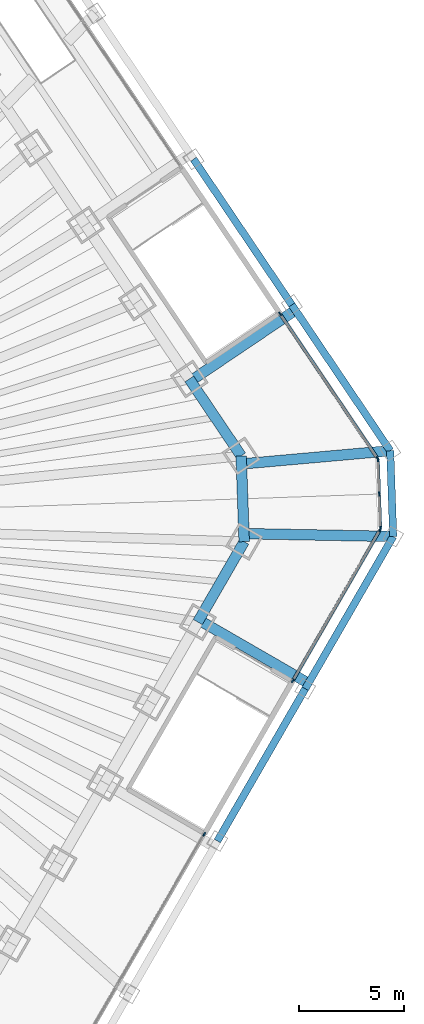
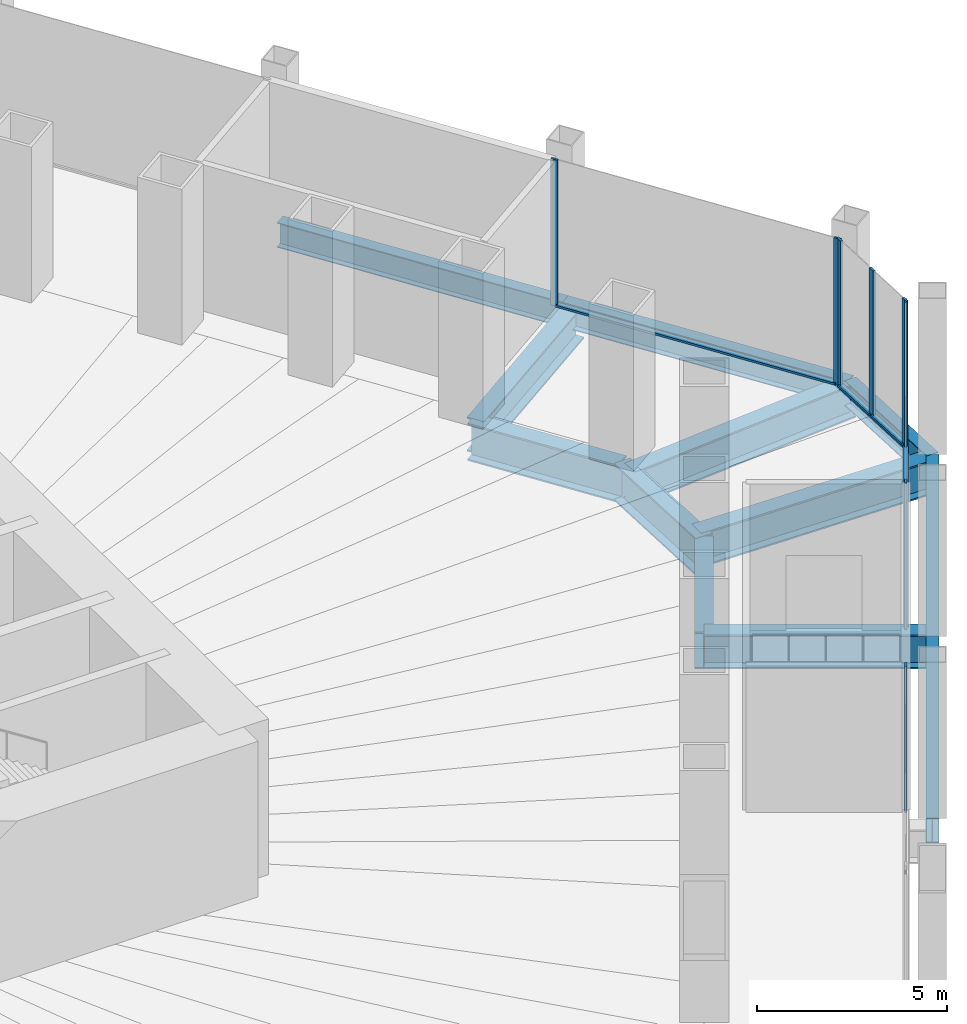
# One storey, part 9 of 18: 12 beams, 12 members, 4 elements without a shape of their own.
"""IFC4 building model written with IfcOpenShell, lengths in metres."""

from ifc_helpers import new_model, si_unit, direction, frame, origin, origin_2d, place, context, subcontext, project, spatial, rectangle, i_section, extrude, material, material_profile, profile_set, type_object, element, aggregate, save


model = new_model("IFC4")

# Units and contexts
model_context = context("Model", 3, precision=1e-05, world=origin(), true_north=direction((0.0, 1.0)))
body_context = subcontext(model_context, "Body", "Model", "MODEL_VIEW")
ifc_project = project(units=[si_unit("LENGTHUNIT", "METRE"), si_unit("AREAUNIT", "SQUARE_METRE"), si_unit("VOLUMEUNIT", "CUBIC_METRE"), si_unit("PLANEANGLEUNIT", "RADIAN"), si_unit("MASSUNIT", "GRAM", prefix="KILO")], contexts=[model_context])

# Site, building, storey
site_placement = place(None, origin())
site = spatial("IfcSite", under=ifc_project, at=site_placement, CompositionType="ELEMENT")
building_placement = place(site_placement, origin())
building = spatial("IfcBuilding", under=site, at=building_placement, Name="Qingtian Harvest Tower", CompositionType="ELEMENT")
storey_placement = place(building_placement, frame((0.0, 0.0, 12.0)))
storey = spatial("IfcBuildingStorey", under=building, at=storey_placement, Name="L02", CompositionType="ELEMENT", Elevation=12.0)

# Beams
ifc_material_1 = material(Name="Steel SM570MC", Category="steel")
ifc_material_profile_1 = material_profile(ifc_material_1, i_section(OverallWidth=0.5, OverallDepth=1.10009765625, WebThickness=0.02490234375, FlangeThickness=0.050048828125, at=origin_2d()), Name="H1100x500x25x50")
ifc_profile_set_1 = profile_set([ifc_material_profile_1], Name="Steel SM570MC")
beam_type_1 = type_object("IfcBeamType", Name="Floor beam FB6 H1100x500x25x50", PredefinedType="BEAM", material=ifc_profile_set_1)
beam_1_placement = place(storey_placement, frame((33.05029296875, 10.0146484375, -0.800048828125), z_axis=(-0.829039666934, -0.559189798414, 0.0), x_axis=(0.559189798414, -0.829039666934, 0.0)))
element("IfcBeam", 1, at=beam_1_placement, inside=storey, type_object=beam_type_1, Name="Podium floor beam FB6 NE3", PredefinedType="BEAM", context=body_context, shape_type="SweptSolid", body=[
    extrude(i_section(OverallWidth=0.5, OverallDepth=1.10009765625, WebThickness=0.02490234375, FlangeThickness=0.050048828125, at=origin_2d()), origin(), (0.0, 0.0, 1.0), 6.000244140625),
])
for number, where, z_axis, x_axis, name in (
    (2, (37.547119140625, 3.34765625, -0.800048828125), (-0.996049850269, -0.088795809463, 0.0), (0.088795809463, -0.996049850269, 0.0), "Podium floor beam FB6 NE4"),
    (3, (37.689208984375, -0.720458984375, -0.800048828125), (-0.999817134486, 0.019123221203, 0.0), (-0.019123221203, -0.999817134486, 0.0), "Podium floor beam FB6 SE0"),
):
    element("IfcBeam", number, at=place(storey_placement, frame(where, z_axis=z_axis, x_axis=x_axis)), inside=storey, type_object=beam_type_1, Name=name, PredefinedType="BEAM", context=body_context, shape_type="SweptSolid", body=[
        extrude(i_section(OverallWidth=0.5, OverallDepth=1.10009765625, WebThickness=0.02490234375, FlangeThickness=0.050048828125, at=origin_2d()), origin(), (0.0, 0.0, 1.0), 7.08544921875),
    ])
beam_2_placement = place(storey_placement, frame((33.668212890625, -7.684814453125, -0.800048828125), z_axis=(-0.866020924479, 0.500007758305, 0.0), x_axis=(-0.500007758305, -0.866020924479, 0.0)))
element("IfcBeam", 4, at=beam_2_placement, inside=storey, type_object=beam_type_1, Name="Podium floor beam FB6 SE1", PredefinedType="BEAM", context=body_context, shape_type="SweptSolid", body=[
    extrude(i_section(OverallWidth=0.5, OverallDepth=1.10009765625, WebThickness=0.02490234375, FlangeThickness=0.050048828125, at=origin_2d()), origin(), (0.0, 0.0, 1.0), 6.0),
])

# Curtain wall, members
ifc_material_2 = material(Name="Bronze-anodised aluminium curtain wall", Category="aluminium")
curtain_wall_type = type_object("IfcCurtainWallType", Name="Curtain wall CW1 podium shopfront", PredefinedType="USERDEFINED", material=ifc_material_2)
curtain_wall_1_placement = place(storey_placement, origin())
curtain_wall_1 = element("IfcCurtainWall", 5, at=curtain_wall_1_placement, inside=storey, type_object=curtain_wall_type, Name="Curtain wall CW1 L02 NE3", ObjectType="RECESSED CURTAIN WALL", PredefinedType="USERDEFINED")
ifc_material_3 = material(Name="Bronze-anodised aluminium mullion", Category="aluminium")
ifc_material_profile_2 = material_profile(ifc_material_3, rectangle(XDim=0.06494140625, YDim=0.199951171875, at=origin_2d()), Name="AL 65x200")
ifc_profile_set_2 = profile_set([ifc_material_profile_2], Name="Bronze-anodised aluminium mullion")
member_type_1 = type_object("IfcMemberType", Name="Mullion CWM 65x200", PredefinedType="MULLION", material=ifc_profile_set_2)
member_1_placement = place(storey_placement, frame((32.3203125, 9.844970703125, 0.0), z_axis=(0.0, 0.0, 1.0), x_axis=(0.829037572555, 0.559192903471, 0.0)))
member_1 = element("IfcMember", 6, at=member_1_placement, type_object=member_type_1, Name="CW1 mullion 1", PredefinedType="MULLION", context=body_context, shape_type="SweptSolid", body=[
    extrude(rectangle(XDim=0.06494140625, YDim=0.199951171875, at=origin_2d()), origin(), (0.0, 0.0, 1.0), 4.699951171875),
])
member_2_placement = place(storey_placement, frame((36.94873046875, 2.983154296875, 0.0), z_axis=(0.0, 0.0, 1.0), x_axis=(0.829037572555, 0.559192903471, 0.0)))
member_2 = element("IfcMember", 7, at=member_2_placement, type_object=member_type_1, Name="CW1 mullion 2", PredefinedType="MULLION", context=body_context, shape_type="SweptSolid", body=[
    extrude(rectangle(XDim=0.06494140625, YDim=0.199951171875, at=origin_2d()), origin(), (0.0, 0.0, 1.0), 4.699951171875),
])

curtain_wall_2_placement = place(storey_placement, origin())
curtain_wall_2 = element("IfcCurtainWall", 8, at=curtain_wall_2_placement, inside=storey, type_object=curtain_wall_type, Name="Curtain wall CW1 L02 NEC", ObjectType="RECESSED CURTAIN WALL", PredefinedType="USERDEFINED")
member_3_placement = place(storey_placement, frame((36.968017578125, 2.923828125, 0.0), z_axis=(0.0, 0.0, 1.0), x_axis=(0.999390827019, 0.034899496703, 0.0)))
member_3 = element("IfcMember", 9, at=member_3_placement, type_object=member_type_1, Name="CW1 mullion 1", PredefinedType="MULLION", context=body_context, shape_type="SweptSolid", body=[
    extrude(rectangle(XDim=0.06494140625, YDim=0.199951171875, at=origin_2d()), origin(), (0.0, 0.0, 1.0), 4.699951171875),
])
member_4_placement = place(storey_placement, frame((37.02490234375, 1.29296875, 0.0), z_axis=(0.0, 0.0, 1.0), x_axis=(0.999390827019, 0.034899496703, 0.0)))
member_4 = element("IfcMember", 10, at=member_4_placement, type_object=member_type_1, Name="CW1 mullion 2", PredefinedType="MULLION", context=body_context, shape_type="SweptSolid", body=[
    extrude(rectangle(XDim=0.06494140625, YDim=0.199951171875, at=origin_2d()), origin(), (0.0, 0.0, 1.0), 4.699951171875),
])
member_5_placement = place(storey_placement, frame((37.081787109375, -0.337890625, 0.0), z_axis=(0.0, 0.0, 1.0), x_axis=(0.999390827019, 0.034899496703, 0.0)))
member_5 = element("IfcMember", 11, at=member_5_placement, type_object=member_type_1, Name="CW1 mullion 3", PredefinedType="MULLION", context=body_context, shape_type="SweptSolid", body=[
    extrude(rectangle(XDim=0.06494140625, YDim=0.199951171875, at=origin_2d()), origin(), (0.0, 0.0, 1.0), 4.699951171875),
])

curtain_wall_3_placement = place(storey_placement, origin())
curtain_wall_3 = element("IfcCurtainWall", 12, at=curtain_wall_3_placement, inside=storey, type_object=curtain_wall_type, Name="Curtain wall CW1 L02 SE0", ObjectType="RECESSED CURTAIN WALL", PredefinedType="USERDEFINED")
member_6_placement = place(storey_placement, frame((37.066650390625, -0.398681640625, 0.0), z_axis=(0.0, 0.0, 1.0), x_axis=(0.866025403784, -0.5, 0.0)))
member_6 = element("IfcMember", 13, at=member_6_placement, type_object=member_type_1, Name="CW1 mullion 1", PredefinedType="MULLION", context=body_context, shape_type="SweptSolid", body=[
    extrude(rectangle(XDim=0.06494140625, YDim=0.199951171875, at=origin_2d()), origin(), (0.0, 0.0, 1.0), 4.699951171875),
])
member_7_placement = place(storey_placement, frame((32.92822265625, -7.56640625, 0.0), z_axis=(0.0, 0.0, 1.0), x_axis=(0.866025403784, -0.5, 0.0)))
member_7 = element("IfcMember", 14, at=member_7_placement, type_object=member_type_1, Name="CW1 mullion 2", PredefinedType="MULLION", context=body_context, shape_type="SweptSolid", body=[
    extrude(rectangle(XDim=0.06494140625, YDim=0.199951171875, at=origin_2d()), origin(), (0.0, 0.0, 1.0), 4.699951171875),
])

# Curtain wall, member
curtain_wall_4_placement = place(storey_placement, origin())
curtain_wall_4 = element("IfcCurtainWall", 15, at=curtain_wall_4_placement, inside=storey, type_object=curtain_wall_type, Name="Curtain wall CW1 L02 SE2-3", ObjectType="RECESSED CURTAIN WALL", PredefinedType="USERDEFINED")
member_8_placement = place(storey_placement, frame((28.724853515625, -14.846923828125, 0.0), z_axis=(0.0, 0.0, 1.0), x_axis=(0.866025403784, -0.5, 0.0)))
member_8 = element("IfcMember", 16, at=member_8_placement, type_object=member_type_1, Name="CW1 mullion 1", PredefinedType="MULLION", context=body_context, shape_type="SweptSolid", body=[
    extrude(rectangle(XDim=0.06494140625, YDim=0.199951171875, at=origin_2d()), origin(), (0.0, 0.0, 1.0), 4.699951171875),
])
aggregate(curtain_wall_4, [member_8])

# Beams
ifc_material_4 = material(Name="Steel SN490B", Category="steel")
ifc_material_profile_3 = material_profile(ifc_material_4, i_section(OverallWidth=0.35009765625, OverallDepth=0.800048828125, WebThickness=0.01611328125, FlangeThickness=0.028076171875, at=origin_2d()), Name="H800x350x16x28")
ifc_profile_set_3 = profile_set([ifc_material_profile_3], Name="Steel SN490B")
beam_type_2 = type_object("IfcBeamType", Name="Podium beam PB1 H800x350x16x28", PredefinedType="BEAM", material=ifc_profile_set_3)
for number, where, z_axis, x_axis, name in (
    (17, (28.2177734375, 17.178955078125, -0.64990234375), (0.559210439086, -0.829025744363, 0.0), (0.829025744363, 0.559210439086, 0.0), "Podium edge beam PB1 NE2"),
    (18, (32.882568359375, 10.263427734375, -0.64990234375), (0.559176755628, -0.829048464183, 0.0), (0.829048464183, 0.559176755628, 0.0), "Podium edge beam PB1 NE3"),
):
    element("IfcBeam", number, at=place(storey_placement, frame(where, z_axis=z_axis, x_axis=x_axis)), inside=storey, type_object=beam_type_2, Name=name, PredefinedType="BEAM", context=body_context, shape_type="SweptSolid", body=[
        extrude(i_section(OverallWidth=0.35009765625, OverallDepth=0.800048828125, WebThickness=0.01611328125, FlangeThickness=0.028076171875, at=origin_2d()), origin(), (0.0, 0.0, 1.0), 8.341796875),
    ])
beam_3_placement = place(storey_placement, frame((37.547119140625, 3.34765625, -0.64990234375), z_axis=(0.03490639867, -0.999390585973, 0.0), x_axis=(0.999390585973, 0.03490639867, 0.0)))
element("IfcBeam", 19, at=beam_3_placement, inside=storey, type_object=beam_type_2, Name="Podium edge beam PB1 NE4", PredefinedType="BEAM", context=body_context, shape_type="SweptSolid", body=[
    extrude(i_section(OverallWidth=0.35009765625, OverallDepth=0.800048828125, WebThickness=0.01611328125, FlangeThickness=0.028076171875, at=origin_2d()), origin(), (0.0, 0.0, 1.0), 4.070556640625),
])
for number, where, z_axis, x_axis, name in (
    (20, (37.689208984375, -0.720458984375, -0.64990234375), (-0.500004511595, -0.866022798998, 0.0), (0.866022798998, -0.500004511595, 0.0), "Podium edge beam PB1 SE0"),
    (21, (33.518310546875, -7.944580078125, -0.64990234375), (-0.500004511595, -0.866022798998, 0.0), (0.866022798998, -0.500004511595, 0.0), "Podium edge beam PB1 SE1"),
):
    element("IfcBeam", number, at=place(storey_placement, frame(where, z_axis=z_axis, x_axis=x_axis)), inside=storey, type_object=beam_type_2, Name=name, PredefinedType="BEAM", context=body_context, shape_type="SweptSolid", body=[
        extrude(i_section(OverallWidth=0.35009765625, OverallDepth=0.800048828125, WebThickness=0.01611328125, FlangeThickness=0.028076171875, at=origin_2d()), origin(), (0.0, 0.0, 1.0), 8.341796875),
    ])
ifc_material_5 = material(Name="Steel SM570MC", Category="steel")
ifc_material_profile_4 = material_profile(ifc_material_5, i_section(OverallWidth=0.5, OverallDepth=1.199951171875, WebThickness=0.02490234375, FlangeThickness=0.050048828125, at=origin_2d()), Name="H1200x500x25x50")
ifc_profile_set_4 = profile_set([ifc_material_profile_4], Name="Steel SM570MC")
beam_type_3 = type_object("IfcBeamType", Name="Spandrel beam SB1 H1200x500x25x50", PredefinedType="SPANDREL", material=ifc_profile_set_4)
beam_4_placement = place(storey_placement, frame((28.013427734375, 6.75244140625, -0.85009765625), z_axis=(0.559169135272, -0.829053603912, 0.0), x_axis=(0.829053603912, 0.559169135272, 0.0)))
element("IfcBeam", 22, at=beam_4_placement, inside=storey, type_object=beam_type_3, Name="Spandrel SB1 NE5", PredefinedType="SPANDREL", context=body_context, shape_type="SweptSolid", body=[
    extrude(i_section(OverallWidth=0.5, OverallDepth=1.199951171875, WebThickness=0.02490234375, FlangeThickness=0.050048828125, at=origin_2d()), origin(), (0.0, 0.0, 1.0), 4.404541015625),
])
beam_5_placement = place(storey_placement, frame((30.476318359375, 3.100830078125, -0.85009765625), z_axis=(0.03490639867, -0.999390585973, 0.0), x_axis=(0.999390585973, 0.03490639867, 0.0)))
element("IfcBeam", 23, at=beam_5_placement, inside=storey, type_object=beam_type_3, Name="Spandrel SB1 NEC", PredefinedType="SPANDREL", context=body_context, shape_type="SweptSolid", body=[
    extrude(i_section(OverallWidth=0.5, OverallDepth=1.199951171875, WebThickness=0.02490234375, FlangeThickness=0.050048828125, at=origin_2d()), origin(), (0.0, 0.0, 1.0), 4.070556640625),
])
beam_6_placement = place(storey_placement, frame((30.618408203125, -0.96728515625, -0.85009765625), z_axis=(-0.50001992892, -0.866013897511, 0.0), x_axis=(0.866013897511, -0.50001992892, 0.0)))
element("IfcBeam", 24, at=beam_6_placement, inside=storey, type_object=beam_type_3, Name="Spandrel SB1 SE0", PredefinedType="SPANDREL", context=body_context, shape_type="SweptSolid", body=[
    extrude(i_section(OverallWidth=0.5, OverallDepth=1.199951171875, WebThickness=0.02490234375, FlangeThickness=0.050048828125, at=origin_2d()), origin(), (0.0, 0.0, 1.0), 4.404541015625),
])

# Member
ifc_material_6 = material(Name="Bronze-anodised aluminium transom", Category="aluminium")
ifc_material_profile_5 = material_profile(ifc_material_6, rectangle(XDim=0.14990234375, YDim=0.06494140625, at=origin_2d()), Name="AL 65x150")
ifc_profile_set_5 = profile_set([ifc_material_profile_5], Name="Bronze-anodised aluminium transom")
member_type_2 = type_object("IfcMemberType", Name="Transom CWT 65x150", PredefinedType="USERDEFINED", material=ifc_profile_set_5)
member_9_placement = place(storey_placement, frame((32.33837890625, 9.818115234375, 0.032470703125), z_axis=(0.559199646774, -0.8290330241, 0.0), x_axis=(0.8290330241, 0.559199646774, 0.0)))
member_9 = element("IfcMember", 25, at=member_9_placement, type_object=member_type_2, Name="CW1 transom 1.1", ObjectType="TRANSOM", PredefinedType="USERDEFINED", context=body_context, shape_type="SweptSolid", body=[
    extrude(rectangle(XDim=0.14990234375, YDim=0.06494140625, at=origin_2d()), origin(), (0.0, 0.0, 1.0), 8.2119140625),
])

aggregate(curtain_wall_1, [member_1, member_2, member_9])

member_10_placement = place(storey_placement, frame((36.968994140625, 2.891357421875, 0.032470703125), z_axis=(0.034902326647, -0.999390728191, 0.0), x_axis=(0.999390728191, 0.034902326647, 0.0)))
member_10 = element("IfcMember", 26, at=member_10_placement, type_object=member_type_2, Name="CW1 transom 1.1", ObjectType="TRANSOM", PredefinedType="USERDEFINED", context=body_context, shape_type="SweptSolid", body=[
    extrude(rectangle(XDim=0.14990234375, YDim=0.06494140625, at=origin_2d()), origin(), (0.0, 0.0, 1.0), 1.56689453125),
])

member_11_placement = place(storey_placement, frame((37.026123046875, 1.260498046875, 0.032470703125), z_axis=(0.034902326647, -0.999390728191, 0.0), x_axis=(0.999390728191, 0.034902326647, 0.0)))
member_11 = element("IfcMember", 27, at=member_11_placement, type_object=member_type_2, Name="CW1 transom 2.1", ObjectType="TRANSOM", PredefinedType="USERDEFINED", context=body_context, shape_type="SweptSolid", body=[
    extrude(rectangle(XDim=0.14990234375, YDim=0.06494140625, at=origin_2d()), origin(), (0.0, 0.0, 1.0), 1.56689453125),
])

aggregate(curtain_wall_2, [member_3, member_4, member_5, member_10, member_11])

member_12_placement = place(storey_placement, frame((37.050537109375, -0.4267578125, 0.032470703125), z_axis=(-0.500008116609, -0.866020717607, 0.0), x_axis=(0.866020717607, -0.500008116609, 0.0)))
member_12 = element("IfcMember", 28, at=member_12_placement, type_object=member_type_2, Name="CW1 transom 1.1", ObjectType="TRANSOM", PredefinedType="USERDEFINED", context=body_context, shape_type="SweptSolid", body=[
    extrude(rectangle(XDim=0.14990234375, YDim=0.06494140625, at=origin_2d()), origin(), (0.0, 0.0, 1.0), 8.211669921875),
])

aggregate(curtain_wall_3, [member_6, member_7, member_12])

save(model, "model.ifc")
